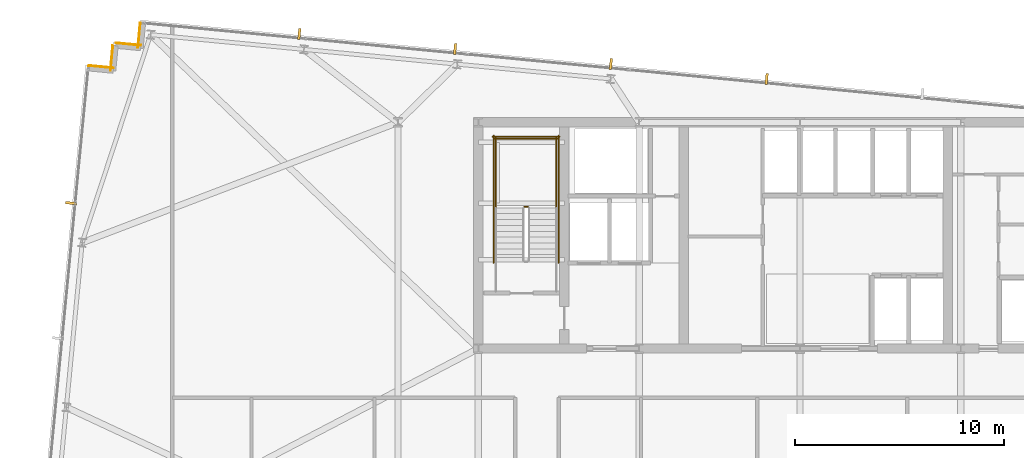
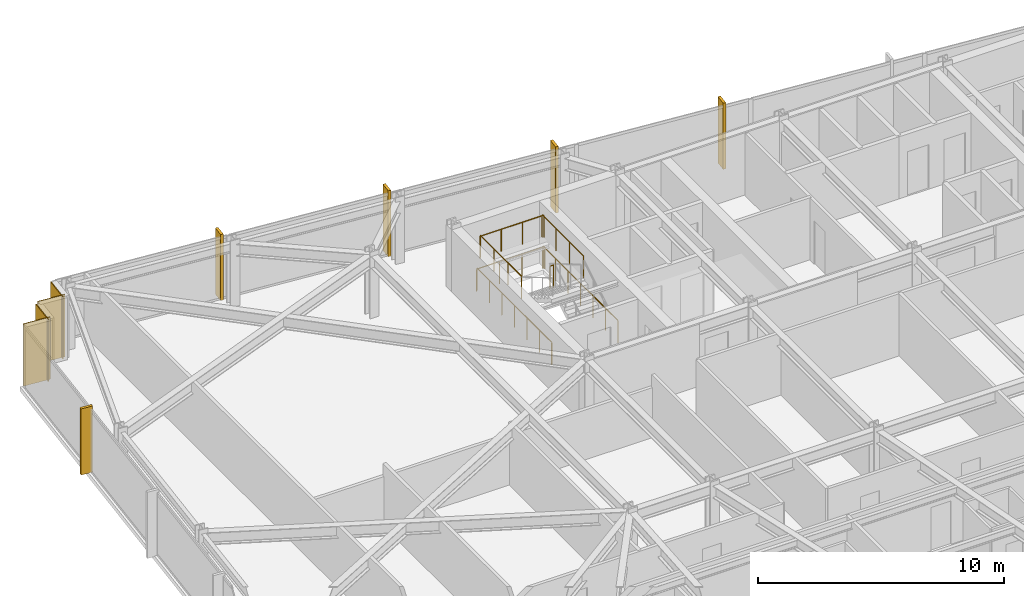
# One storey, part 37 of 38: 7 railings, 5 shading devices, 4 coverings.
"""IFC4 building model written with IfcOpenShell, lengths in metres."""

from ifc_helpers import new_model, si_unit, direction, frame, frame_2d, origin, origin_2d, place, context, subcontext, project, spatial, rectangle, circle, extrude, material, layer, layer_set, type_object, element, save


model = new_model("IFC4")

# Units and contexts
model_context = context("Model", 3, precision=1e-05, world=origin(), true_north=direction((0.0, 1.0)))
body_context = subcontext(model_context, "Body", "Model", "MODEL_VIEW")
ifc_project = project(units=[si_unit("LENGTHUNIT", "METRE"), si_unit("AREAUNIT", "SQUARE_METRE"), si_unit("VOLUMEUNIT", "CUBIC_METRE"), si_unit("PLANEANGLEUNIT", "RADIAN"), si_unit("MASSUNIT", "GRAM", prefix="KILO")], contexts=[model_context])

# Site, building, storey
site_placement = place(None, origin())
site = spatial("IfcSite", under=ifc_project, at=site_placement, CompositionType="ELEMENT")
building_placement = place(site_placement, origin())
building = spatial("IfcBuilding", under=site, at=building_placement, Name="Yelkora Congress Tower", CompositionType="ELEMENT")
storey_placement = place(building_placement, frame((0.0, 0.0, 185.300048828125)))
storey = spatial("IfcBuildingStorey", under=building, at=storey_placement, Name="L51", CompositionType="ELEMENT", Elevation=185.300048828125)

# Coverings
ifc_material_1 = material(Name="Anatolian bush-hammered limestone", Category="masonry")
ifc_layer_1 = layer(ifc_material_1, 0.0400390625)
ifc_layer_set_1 = layer_set([ifc_layer_1], Name="Anatolian bush-hammered limestone")
covering_type = type_object("IfcCoveringType", Name="COV-CLAD-SPANDREL-40", PredefinedType="CLADDING", material=ifc_layer_set_1)
for number, where, z_axis, x_axis, name in (
    (1, (4.423583984375, 48.9130859375, 0.0), (0.0, 0.0, 1.0), (0.995398960025, -0.095817067274, 0.0), "L51 Anatolian Limestone Cladding EW-L51-SR06"),
    (2, (5.470703125, 48.676513671875, 0.0), (0.0, 0.0, 1.0), (0.095817067274, 0.995398960025, 0.0), "L51 Anatolian Limestone Cladding EW-L51-SR07"),
):
    element("IfcCovering", number, at=place(storey_placement, frame(where, z_axis=z_axis, x_axis=x_axis)), inside=storey, type_object=covering_type, Name=name, PredefinedType="CLADDING", context=body_context, shape_type="SweptSolid", body=[
        extrude(rectangle(XDim=1.2001953125, YDim=0.0400390625, at=frame_2d((0.60009765625, 0.0))), origin(), (0.0, 0.0, 1.0), 3.079833984375),
    ])
covering_1_placement = place(storey_placement, frame((5.733154296875, 49.992431640625, 0.0), z_axis=(0.0, 0.0, 1.0), x_axis=(0.995397091755, -0.095836473879, 0.0)))
element("IfcCovering", 3, at=covering_1_placement, inside=storey, type_object=covering_type, Name="L51 Anatolian Limestone Cladding EW-L51-SR08", PredefinedType="CLADDING", context=body_context, shape_type="SweptSolid", body=[
    extrude(rectangle(XDim=1.199951171875, YDim=0.0400390625, at=frame_2d((0.60009765625, 0.0))), origin(), (0.0, 0.0, 1.0), 3.079833984375),
])
covering_2_placement = place(storey_placement, frame((6.780029296875, 49.756103515625, 0.0), z_axis=(0.0, 0.0, 1.0), x_axis=(0.096018626938, 0.995379537303, 0.0)))
element("IfcCovering", 4, at=covering_2_placement, inside=storey, type_object=covering_type, Name="L51 Anatolian Limestone Cladding EW-L51-SR09", PredefinedType="CLADDING", context=body_context, shape_type="SweptSolid", body=[
    extrude(rectangle(XDim=1.2001953125, YDim=0.0400390625, at=frame_2d((0.60009765625, 0.0))), origin(), (0.0, 0.0, 1.0), 3.079833984375),
])

# Railings
ifc_material_2 = material(Name="Painted galvanised steel stair well guard with vertical infill", Category="steel")
ifc_layer_2 = layer(ifc_material_2, 0.06005859375)
ifc_layer_set_2 = layer_set([ifc_layer_2], Name="Painted galvanised steel stair well guard with vertical infill")
railing_type = type_object("IfcRailingType", Name="RAIL-STAIR-GUARD-1120", PredefinedType="GUARDRAIL", material=ifc_layer_set_2)
railing_1_placement = place(storey_placement, frame((25.39990234375, 42.169921875, 1.64990234375)))
element("IfcRailing", 5, at=railing_1_placement, inside=storey, type_object=railing_type, Name="ST-01 L51 Stair Well Guardrail 2", PredefinedType="GUARDRAIL", context=body_context, shape_type="SweptSolid", body=[
    extrude(circle(Radius=0.02392578125, at=origin_2d()), frame((0.0, 0.0, 1.09619140625), z_axis=(-1.0, 0.0, 0.0), x_axis=(0.0, -1.0, 0.0)), (0.0, 0.0, 1.0), 0.159912109375),
    extrude(circle(Radius=0.02099609375, at=origin_2d()), origin(), (0.0, 0.0, 1.0), 1.072021484375),
    extrude(circle(Radius=0.02099609375, at=origin_2d()), frame((-0.159912109375, 0.0, 0.0)), (0.0, 0.0, 1.0), 1.072021484375),
])
for number, where, name in (
    (6, (26.77001953125, 42.1201171875, 1.64990234375), "ST-01 L51 Stair Well Guardrail 3"),
    (7, (23.8701171875, 42.1201171875, 1.64990234375), "ST-01 L51 Stair Well Guardrail 4"),
):
    element("IfcRailing", number, at=place(storey_placement, frame(where)), inside=storey, type_object=railing_type, Name=name, PredefinedType="GUARDRAIL", context=body_context, shape_type="SweptSolid", body=[
        extrude(circle(Radius=0.02392578125, at=origin_2d()), frame((0.0, 0.0, 1.09619140625), z_axis=(0.0, 1.0, 0.0), x_axis=(-1.0, 0.0, 0.0)), (0.0, 0.0, 1.0), 3.349853515625),
        extrude(circle(Radius=0.02099609375, at=origin_2d()), origin(), (0.0, 0.0, 1.0), 1.072021484375),
        extrude(circle(Radius=0.02099609375, at=origin_2d()), frame((0.0, 1.11669921875, 0.0)), (0.0, 0.0, 1.0), 1.072021484375),
        extrude(circle(Radius=0.02099609375, at=origin_2d()), frame((0.0, 2.233154296875, 0.0)), (0.0, 0.0, 1.0), 1.072021484375),
        extrude(circle(Radius=0.02099609375, at=origin_2d()), frame((0.0, 3.349853515625, 0.0)), (0.0, 0.0, 1.0), 1.072021484375),
    ])
railing_2_placement = place(storey_placement, frame((26.820068359375, 45.419921875, 1.64990234375)))
element("IfcRailing", 8, at=railing_2_placement, inside=storey, type_object=railing_type, Name="ST-01 L51 Stair Well Guardrail 5", PredefinedType="GUARDRAIL", context=body_context, shape_type="SweptSolid", body=[
    extrude(circle(Radius=0.02392578125, at=origin_2d()), frame((0.0, 0.0, 1.09619140625), z_axis=(-1.0, 0.0, 0.0), x_axis=(0.0, -1.0, 0.0)), (0.0, 0.0, 1.0), 3.0),
    extrude(circle(Radius=0.02099609375, at=origin_2d()), origin(), (0.0, 0.0, 1.0), 1.072021484375),
    extrude(circle(Radius=0.02099609375, at=origin_2d()), frame((-1.0, 0.0, 0.0)), (0.0, 0.0, 1.0), 1.072021484375),
    extrude(circle(Radius=0.02099609375, at=origin_2d()), frame((-2.0, 0.0, 0.0)), (0.0, 0.0, 1.0), 1.072021484375),
    extrude(circle(Radius=0.02099609375, at=origin_2d()), frame((-3.0, 0.0, 0.0)), (0.0, 0.0, 1.0), 1.072021484375),
])
for number, where, name in (
    (9, (26.8701171875, 39.5, 0.0), "ST-01 L51 Stair Well Guardrail 10"),
    (10, (23.77001953125, 39.5, 0.0), "ST-01 L51 Stair Well Guardrail 11"),
):
    element("IfcRailing", number, at=place(storey_placement, frame(where)), inside=storey, type_object=railing_type, Name=name, PredefinedType="GUARDRAIL", context=body_context, shape_type="SweptSolid", body=[
        extrude(circle(Radius=0.02392578125, at=origin_2d()), frame((0.0, 0.0, 1.09619140625), z_axis=(0.0, 1.0, 0.0), x_axis=(-1.0, 0.0, 0.0)), (0.0, 0.0, 1.0), 6.070068359375),
        extrude(circle(Radius=0.02099609375, at=origin_2d()), origin(), (0.0, 0.0, 1.0), 1.072021484375),
        extrude(circle(Radius=0.02099609375, at=origin_2d()), frame((0.0, 1.01171875, 0.0)), (0.0, 0.0, 1.0), 1.072021484375),
        extrude(circle(Radius=0.02099609375, at=origin_2d()), frame((0.0, 2.0234375, 0.0)), (0.0, 0.0, 1.0), 1.072021484375),
        extrude(circle(Radius=0.02099609375, at=origin_2d()), frame((0.0, 3.03515625, 0.0)), (0.0, 0.0, 1.0), 1.072021484375),
        extrude(circle(Radius=0.02099609375, at=origin_2d()), frame((0.0, 4.046630859375, 0.0)), (0.0, 0.0, 1.0), 1.072021484375),
        extrude(circle(Radius=0.02099609375, at=origin_2d()), frame((0.0, 5.058349609375, 0.0)), (0.0, 0.0, 1.0), 1.072021484375),
        extrude(circle(Radius=0.02099609375, at=origin_2d()), frame((0.0, 6.070068359375, 0.0)), (0.0, 0.0, 1.0), 1.072021484375),
    ])
railing_3_placement = place(storey_placement, frame((26.919921875, 45.52001953125, 0.0)))
element("IfcRailing", 11, at=railing_3_placement, inside=storey, type_object=railing_type, Name="ST-01 L51 Stair Well Guardrail 12", PredefinedType="GUARDRAIL", context=body_context, shape_type="SweptSolid", body=[
    extrude(circle(Radius=0.02392578125, at=origin_2d()), frame((0.0, 0.0, 1.09619140625), z_axis=(-1.0, 0.0, 0.0), x_axis=(0.0, -1.0, 0.0)), (0.0, 0.0, 1.0), 3.199951171875),
    extrude(circle(Radius=0.02099609375, at=origin_2d()), origin(), (0.0, 0.0, 1.0), 1.072021484375),
    extrude(circle(Radius=0.02099609375, at=origin_2d()), frame((-1.066650390625, 0.0, 0.0)), (0.0, 0.0, 1.0), 1.072021484375),
    extrude(circle(Radius=0.02099609375, at=origin_2d()), frame((-2.13330078125, 0.0, 0.0)), (0.0, 0.0, 1.0), 1.072021484375),
    extrude(circle(Radius=0.02099609375, at=origin_2d()), frame((-3.199951171875, 0.0, 0.0)), (0.0, 0.0, 1.0), 1.072021484375),
])

# Shading devices
ifc_material_3 = material(Name="Champagne anodised aluminium", Category="aluminium")
ifc_layer_3 = layer(ifc_material_3, 3.300048828125)
ifc_layer_set_3 = layer_set([ifc_layer_3], Name="Champagne anodised aluminium")
shading_device_type = type_object("IfcShadingDeviceType", Name="SHD-FIN-ALU-520", PredefinedType="USERDEFINED", material=ifc_layer_set_3)
for number, where, z_axis, x_axis, name in (
    (12, (3.590087890625, 42.34375, -0.0302734375), (0.0, 0.0, 1.0), (0.09584575252, 0.995396198367, 0.0), "L51 Vertical Anodised Solar Fin 5-4"),
    (13, (14.48876953125, 50.42041015625, -0.0302734375), (0.0, 0.0, 1.0), (0.995396198367, -0.09584575252, 0.0), "L51 Vertical Anodised Solar Fin 10-1"),
    (14, (21.928466796875, 49.703857421875, -0.0302734375), (0.0, 0.0, 1.0), (0.995396198367, -0.09584575252, 0.0), "L51 Vertical Anodised Solar Fin 10-2"),
    (15, (29.368408203125, 48.987548828125, -0.0302734375), (0.0, 0.0, 1.0), (0.995396198367, -0.09584575252, 0.0), "L51 Vertical Anodised Solar Fin 10-3"),
    (16, (36.808349609375, 48.271240234375, -0.0302734375), (0.0, 0.0, 1.0), (0.995396198367, -0.09584575252, 0.0), "L51 Vertical Anodised Solar Fin 10-4"),
):
    element("IfcShadingDevice", number, at=place(storey_placement, frame(where, z_axis=z_axis, x_axis=x_axis)), inside=storey, type_object=shading_device_type, Name=name, ObjectType="FIN", PredefinedType="USERDEFINED", context=body_context, shape_type="SweptSolid", body=[
        extrude(rectangle(XDim=0.1201171875, YDim=0.52001953125, at=origin_2d()), origin(), (0.0, 0.0, 1.0), 3.280029296875),
    ])

save(model, "model.ifc")
